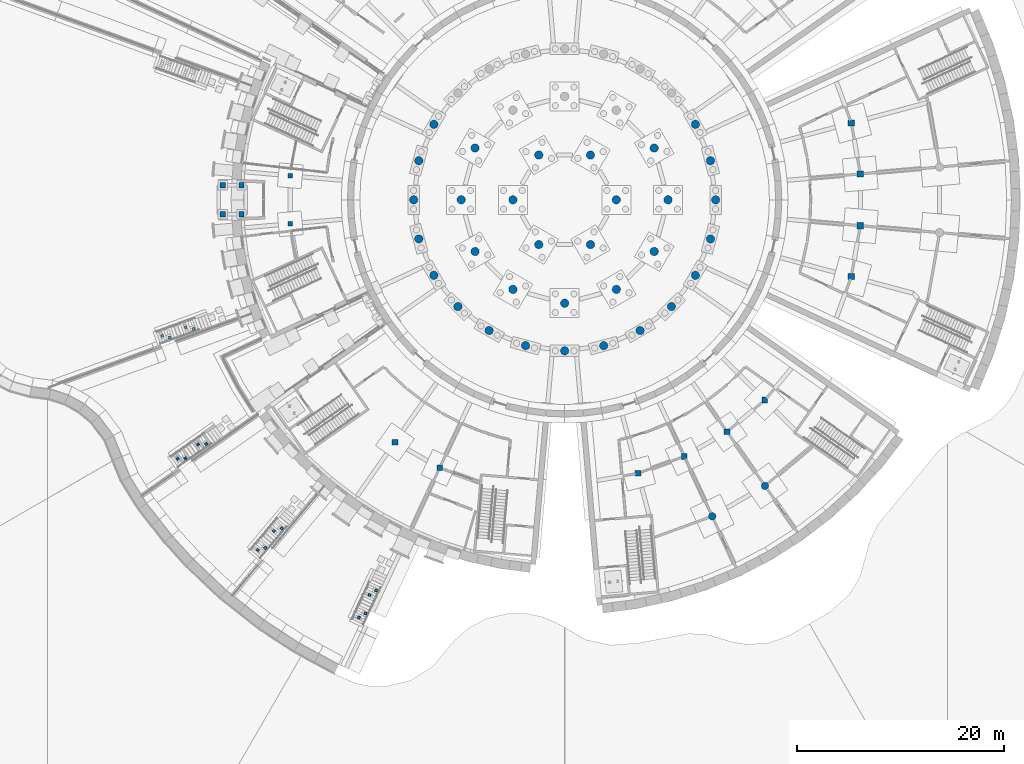
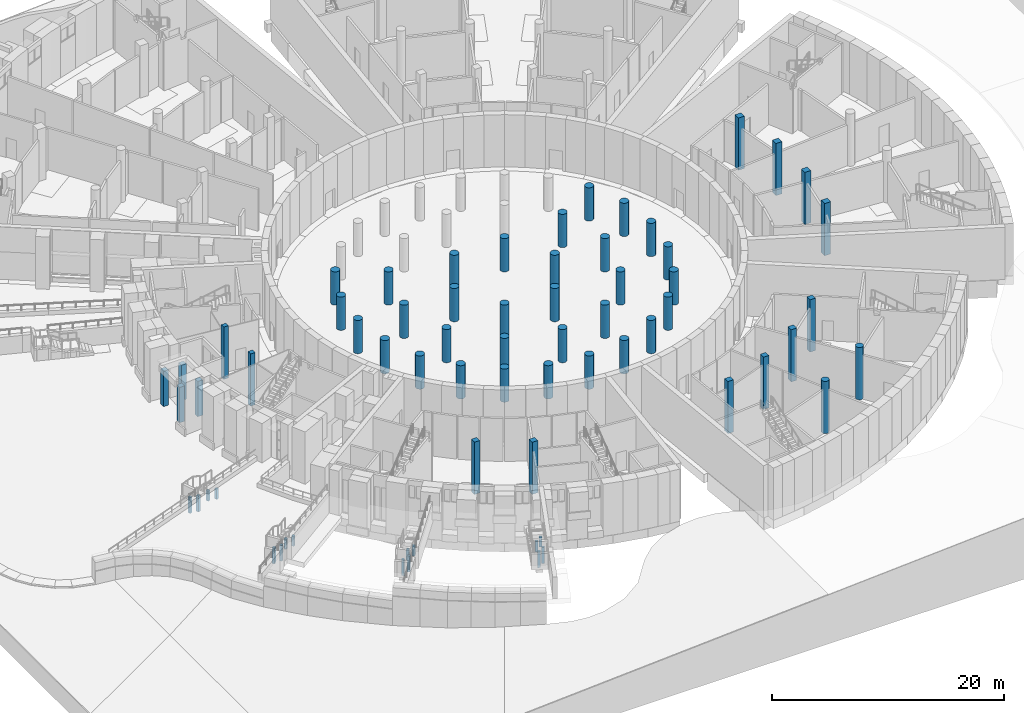
# One storey, part 8 of 65: 66 columns.
"""IFC4 building model written with IfcOpenShell, lengths in metres."""

from ifc_helpers import new_model, si_unit, direction, frame, origin, origin_2d, place, context, subcontext, project, spatial, rectangle, circle, extrude, material, material_profile, profile_set, type_object, element, save


model = new_model("IFC4")

# Units and contexts
model_context = context("Model", 3, precision=1e-05, world=origin(), true_north=direction((0.0, 1.0)))
body_context = subcontext(model_context, "Body", "Model", "MODEL_VIEW")
ifc_project = project(units=[si_unit("LENGTHUNIT", "METRE"), si_unit("AREAUNIT", "SQUARE_METRE"), si_unit("VOLUMEUNIT", "CUBIC_METRE"), si_unit("PLANEANGLEUNIT", "RADIAN"), si_unit("MASSUNIT", "GRAM", prefix="KILO")], contexts=[model_context])

# Site, building, storey
site_placement = place(None, origin())
site = spatial("IfcSite", under=ifc_project, at=site_placement, CompositionType="ELEMENT")
building_placement = place(site_placement, origin())
building = spatial("IfcBuilding", under=site, at=building_placement, Name="Volute Hill Aquarium", CompositionType="ELEMENT")
storey_placement = place(building_placement, frame((0.0, 0.0, -5.5)))
storey = spatial("IfcBuildingStorey", under=building, at=storey_placement, Name="L00", CompositionType="ELEMENT", Elevation=-5.5)

# Columns
ifc_material_1 = material(Name="Concrete C35/45", Category="concrete")
ifc_material_profile_1 = material_profile(ifc_material_1, rectangle(XDim=0.5, YDim=0.5, at=origin_2d()), Name="RC column 500x500")
ifc_profile_set_1 = profile_set([ifc_material_profile_1], Name="Concrete C35/45")
column_type_1 = type_object("IfcColumnType", Name="Canopy column RC 500x500", PredefinedType="COLUMN", material=ifc_profile_set_1)
for number, where, z_axis, x_axis, name in (
    (1, (-31.25, 1.39990234375, 0.0), (0.0, 0.0, 1.0), (1.0, 0.0, 0.0), "cn/S1/L00/c0.0"),
    (2, (-33.050048828125, 1.39990234375, 0.0), (0.0, 0.0, 1.0), (1.0, 0.0, 0.0), "cn/S1/L00/c0.1"),
    (3, (-31.25, -1.39990234375, 0.0), (0.0, 0.0, 1.0), (1.0, 0.0, 0.0), "cn/S1/L00/c1.0"),
    (4, (-33.050048828125, -1.39990234375, 0.0), (0.0, 0.0, 1.0), (1.0, 0.0, 0.0), "cn/S1/L00/c1.1"),
):
    element("IfcColumn", number, at=place(storey_placement, frame(where, z_axis=z_axis, x_axis=x_axis)), inside=storey, type_object=column_type_1, Name=name, PredefinedType="COLUMN", context=body_context, shape_type="SweptSolid", body=[
        extrude(rectangle(XDim=0.5, YDim=0.5, at=origin_2d()), origin(), (0.0, 0.0, 1.0), 3.719970703125),
    ])
ifc_material_2 = material(Name="Concrete C35/45", Category="concrete")
ifc_material_profile_2 = material_profile(ifc_material_2, rectangle(XDim=0.449951171875, YDim=0.449951171875, at=origin_2d()), Name="RC column 450x450")
ifc_profile_set_2 = profile_set([ifc_material_profile_2], Name="Concrete C35/45")
column_type_2 = type_object("IfcColumnType", Name="Column column 450x450 C35/45", PredefinedType="COLUMN", material=ifc_profile_set_2)
for number, where, z_axis, x_axis, name in (
    (5, (-26.523681640625, 2.320556640625, 0.0), (0.0, 0.0, 1.0), (1.0, 0.0, 0.0), "col/S1/L00/1.2"),
    (6, (-26.523681640625, -2.320556640625, 0.0), (0.0, 0.0, 1.0), (1.0, 0.0, 0.0), "col/S1/L00/1.3"),
):
    element("IfcColumn", number, at=place(storey_placement, frame(where, z_axis=z_axis, x_axis=x_axis)), inside=storey, type_object=column_type_2, Name=name, PredefinedType="COLUMN", context=body_context, shape_type="SweptSolid", body=[
        extrude(rectangle(XDim=0.449951171875, YDim=0.449951171875, at=origin_2d()), origin(), (0.0, 0.0, 1.0), 5.5),
    ])
ifc_material_3 = material(Name="Concrete C35/45", Category="concrete")
ifc_material_profile_3 = material_profile(ifc_material_3, rectangle(XDim=0.550048828125, YDim=0.550048828125, at=origin_2d()), Name="RC column 550x550")
ifc_profile_set_3 = profile_set([ifc_material_profile_3], Name="Concrete C35/45")
column_type_3 = type_object("IfcColumnType", Name="Column column 550x550 C35/45", PredefinedType="COLUMN", material=ifc_profile_set_3)
for number, where, z_axis, x_axis, name in (
    (7, (-16.404296875, -23.427734375, 0.0), (0.0, 0.0, 1.0), (1.0, 0.0, 0.0), "col/S2/L00/1.2"),
    (8, (-12.0869140625, -25.92041015625, 0.0), (0.0, 0.0, 1.0), (1.0, 0.0, 0.0), "col/S2/L00/1.3"),
    (9, (7.08740234375, -26.4501953125, 0.0), (0.0, 0.0, 1.0), (1.0, 0.0, 0.0), "col/S3/L00/1.1"),
    (10, (11.57275390625, -24.817626953125, 0.0), (0.0, 0.0, 1.0), (1.0, 0.0, 0.0), "col/S3/L00/1.2"),
    (11, (15.706298828125, -22.43115234375, 0.0), (0.0, 0.0, 1.0), (1.0, 0.0, 0.0), "col/S3/L00/1.3"),
    (12, (19.36279296875, -19.36279296875, 0.0), (0.0, 0.0, 1.0), (1.0, 0.0, 0.0), "col/S3/L00/1.4"),
):
    element("IfcColumn", number, at=place(storey_placement, frame(where, z_axis=z_axis, x_axis=x_axis)), inside=storey, type_object=column_type_3, Name=name, PredefinedType="COLUMN", context=body_context, shape_type="SweptSolid", body=[
        extrude(rectangle(XDim=0.550048828125, YDim=0.550048828125, at=origin_2d()), origin(), (0.0, 0.0, 1.0), 5.5),
    ])
ifc_material_4 = material(Name="Concrete C35/45", Category="concrete")
ifc_material_profile_4 = material_profile(ifc_material_4, rectangle(XDim=0.60009765625, YDim=0.60009765625, at=origin_2d()), Name="RC column 600x600")
ifc_profile_set_4 = profile_set([ifc_material_profile_4], Name="Concrete C35/45")
column_type_4 = type_object("IfcColumnType", Name="Column column 600x600 C35/45", PredefinedType="COLUMN", material=ifc_profile_set_4)
for number, where, z_axis, x_axis, name in (
    (13, (27.72216796875, -7.427978515625, 0.0), (0.0, 0.0, 1.0), (1.0, 0.0, 0.0), "col/S4/L00/1.1"),
    (14, (28.5908203125, -2.50146484375, 0.0), (0.0, 0.0, 1.0), (1.0, 0.0, 0.0), "col/S4/L00/1.2"),
    (15, (28.5908203125, 2.50146484375, 0.0), (0.0, 0.0, 1.0), (1.0, 0.0, 0.0), "col/S4/L00/1.3"),
    (16, (27.72216796875, 7.427978515625, 0.0), (0.0, 0.0, 1.0), (1.0, 0.0, 0.0), "col/S4/L00/1.4"),
):
    element("IfcColumn", number, at=place(storey_placement, frame(where, z_axis=z_axis, x_axis=x_axis)), inside=storey, type_object=column_type_4, Name=name, PredefinedType="COLUMN", context=body_context, shape_type="SweptSolid", body=[
        extrude(rectangle(XDim=0.60009765625, YDim=0.60009765625, at=origin_2d()), origin(), (0.0, 0.0, 1.0), 5.5),
    ])
ifc_material_5 = material(Name="Concrete C35/45", Category="concrete")
ifc_material_profile_5 = material_profile(ifc_material_5, circle(Radius=0.35009765625, at=origin_2d()), Name="RC round column D700")
ifc_profile_set_5 = profile_set([ifc_material_profile_5], Name="Concrete C35/45")
column_type_5 = type_object("IfcColumnType", Name="Column round column D700 C35/45", PredefinedType="COLUMN", material=ifc_profile_set_5)
for number, where, z_axis, x_axis, name in (
    (17, (14.2705078125, -30.60302734375, 0.0), (0.0, 0.0, 1.0), (1.0, 0.0, 0.0), "col/S3/L00/2.2"),
    (18, (19.367919921875, -27.66015625, 0.0), (0.0, 0.0, 1.0), (1.0, 0.0, 0.0), "col/S3/L00/2.3"),
):
    element("IfcColumn", number, at=place(storey_placement, frame(where, z_axis=z_axis, x_axis=x_axis)), inside=storey, type_object=column_type_5, Name=name, PredefinedType="COLUMN", context=body_context, shape_type="SweptSolid", body=[
        extrude(circle(Radius=0.35009765625, at=origin_2d()), origin(), (0.0, 0.0, 1.0), 5.5),
    ])
ifc_material_6 = material(Name="Concrete C30/37", Category="concrete")
ifc_material_profile_6 = material_profile(ifc_material_6, rectangle(XDim=0.25, YDim=0.25, at=origin_2d()), Name="RC pier 250x250")
ifc_profile_set_6 = profile_set([ifc_material_profile_6], Name="Concrete C30/37")
column_type_6 = type_object("IfcColumnType", Name="Stair landing pier RC 250x250 C30/37", PredefinedType="COLUMN", material=ifc_profile_set_6)
for number, where, z_axis, x_axis, name in (
    (19, (-35.877685546875, -12.47314453125, -0.5), (0.0, 0.0, 1.0), (-0.939692620786, -0.342020143326, 0.0), "col/ST200/L00/q0"),
    (20, (-36.648681640625, -12.328125, -0.5), (0.0, 0.0, 1.0), (-0.939692620786, -0.342020143326, 0.0), "col/ST200/L00/q1"),
):
    element("IfcColumn", number, at=place(storey_placement, frame(where, z_axis=z_axis, x_axis=x_axis)), inside=storey, type_object=column_type_6, Name=name, PredefinedType="COLUMN", context=body_context, shape_type="SweptSolid", body=[
        extrude(rectangle(XDim=0.25, YDim=0.25, at=origin_2d()), origin(), (0.0, 0.0, 1.0), 1.06494140625),
    ])
for number, where, z_axis, x_axis, name in (
    (21, (-38.189208984375, -13.314453125, -0.5), (0.0, 0.0, 1.0), (-0.939692620786, -0.342020143326, 0.0), "col/ST200/L00/q2"),
    (22, (-38.90869140625, -13.150634765625, -0.5), (0.0, 0.0, 1.0), (-0.939692620786, -0.342020143326, 0.0), "col/ST200/L00/q3"),
):
    element("IfcColumn", number, at=place(storey_placement, frame(where, z_axis=z_axis, x_axis=x_axis)), inside=storey, type_object=column_type_6, Name=name, PredefinedType="COLUMN", context=body_context, shape_type="SweptSolid", body=[
        extrude(rectangle(XDim=0.25, YDim=0.25, at=origin_2d()), origin(), (0.0, 0.0, 1.0), 1.676025390625),
    ])
for number, where, z_axis, x_axis, name in (
    (23, (-34.66259765625, -23.599609375, 0.875), (0.0, 0.0, 1.0), (-0.819152044289, -0.573576436351, 0.0), "col/ST215/L00/q0"),
    (24, (-35.44482421875, -23.6591796875, 0.875), (0.0, 0.0, 1.0), (-0.819152044289, -0.573576436351, 0.0), "col/ST215/L00/q1"),
):
    element("IfcColumn", number, at=place(storey_placement, frame(where, z_axis=z_axis, x_axis=x_axis)), inside=storey, type_object=column_type_6, Name=name, PredefinedType="COLUMN", context=body_context, shape_type="SweptSolid", body=[
        extrude(rectangle(XDim=0.25, YDim=0.25, at=origin_2d()), origin(), (0.0, 0.0, 1.0), 1.06494140625),
    ])
for number, where, z_axis, x_axis, name in (
    (25, (-36.677490234375, -25.010498046875, 0.875), (0.0, 0.0, 1.0), (-0.819152044289, -0.573576436351, 0.0), "col/ST215/L00/q2"),
    (26, (-37.414794921875, -25.03857421875, 0.875), (0.0, 0.0, 1.0), (-0.819152044289, -0.573576436351, 0.0), "col/ST215/L00/q3"),
):
    element("IfcColumn", number, at=place(storey_placement, frame(where, z_axis=z_axis, x_axis=x_axis)), inside=storey, type_object=column_type_6, Name=name, PredefinedType="COLUMN", context=body_context, shape_type="SweptSolid", body=[
        extrude(rectangle(XDim=0.25, YDim=0.25, at=origin_2d()), origin(), (0.0, 0.0, 1.0), 1.676025390625),
    ])
for number, where, z_axis, x_axis, name in (
    (27, (-27.373291015625, -31.7666015625, 2.25), (0.0, 0.0, 1.0), (-0.642787609687, -0.766044443119, 0.0), "col/ST230/L00/q0"),
    (28, (-28.11376953125, -32.026611328125, 2.25), (0.0, 0.0, 1.0), (-0.642787609687, -0.766044443119, 0.0), "col/ST230/L00/q1"),
):
    element("IfcColumn", number, at=place(storey_placement, frame(where, z_axis=z_axis, x_axis=x_axis)), inside=storey, type_object=column_type_6, Name=name, PredefinedType="COLUMN", context=body_context, shape_type="SweptSolid", body=[
        extrude(rectangle(XDim=0.25, YDim=0.25, at=origin_2d()), origin(), (0.0, 0.0, 1.0), 1.06494140625),
    ])
for number, where, z_axis, x_axis, name in (
    (29, (-28.95458984375, -33.651123046875, 2.25), (0.0, 0.0, 1.0), (-0.642787609687, -0.766044443119, 0.0), "col/ST230/L00/q2"),
    (30, (-29.65966796875, -33.868896484375, 2.25), (0.0, 0.0, 1.0), (-0.642787609687, -0.766044443119, 0.0), "col/ST230/L00/q3"),
):
    element("IfcColumn", number, at=place(storey_placement, frame(where, z_axis=z_axis, x_axis=x_axis)), inside=storey, type_object=column_type_6, Name=name, PredefinedType="COLUMN", context=body_context, shape_type="SweptSolid", body=[
        extrude(rectangle(XDim=0.25, YDim=0.25, at=origin_2d()), origin(), (0.0, 0.0, 1.0), 1.676025390625),
    ])
for number, where, z_axis, x_axis, name in (
    (31, (-18.21875, -37.76904296875, 3.625), (0.0, 0.0, 1.0), (-0.422618261741, -0.906307787037, 0.0), "col/ST245/L00/q0"),
    (32, (-18.86669921875, -38.211669921875, 3.625), (0.0, 0.0, 1.0), (-0.422618261741, -0.906307787037, 0.0), "col/ST245/L00/q1"),
):
    element("IfcColumn", number, at=place(storey_placement, frame(where, z_axis=z_axis, x_axis=x_axis)), inside=storey, type_object=column_type_6, Name=name, PredefinedType="COLUMN", context=body_context, shape_type="SweptSolid", body=[
        extrude(rectangle(XDim=0.25, YDim=0.25, at=origin_2d()), origin(), (0.0, 0.0, 1.0), 1.06494140625),
    ])
for number, where, z_axis, x_axis, name in (
    (33, (-19.258544921875, -39.99853515625, 3.625), (0.0, 0.0, 1.0), (-0.422618261741, -0.906307787037, 0.0), "col/ST245/L00/q2"),
    (34, (-19.883056640625, -40.3916015625, 3.625), (0.0, 0.0, 1.0), (-0.422618261741, -0.906307787037, 0.0), "col/ST245/L00/q3"),
):
    element("IfcColumn", number, at=place(storey_placement, frame(where, z_axis=z_axis, x_axis=x_axis)), inside=storey, type_object=column_type_6, Name=name, PredefinedType="COLUMN", context=body_context, shape_type="SweptSolid", body=[
        extrude(rectangle(XDim=0.25, YDim=0.25, at=origin_2d()), origin(), (0.0, 0.0, 1.0), 1.676025390625),
    ])
ifc_material_7 = material(Name="Concrete C40/50", Category="concrete")
ifc_material_profile_7 = material_profile(ifc_material_7, circle(Radius=0.39990234375, at=origin_2d()), Name="RC round column D800")
ifc_profile_set_7 = profile_set([ifc_material_profile_7], Name="Concrete C40/50")
column_type_7 = type_object("IfcColumnType", Name="Tank support column RC D800", PredefinedType="COLUMN", material=ifc_profile_set_7)
for number, where, z_axis, x_axis, name in (
    (35, (5.0, 0.0, 0.0), (0.0, 0.0, 1.0), (1.0, 0.0, 0.0), "col/TK/L00/1.0"),
    (36, (2.5, 4.330078125, 0.0), (0.0, 0.0, 1.0), (1.0, 0.0, 0.0), "col/TK/L00/1.1"),
    (37, (-2.5, 4.330078125, 0.0), (0.0, 0.0, 1.0), (1.0, 0.0, 0.0), "col/TK/L00/1.2"),
    (38, (-5.0, 0.0, 0.0), (0.0, 0.0, 1.0), (1.0, 0.0, 0.0), "col/TK/L00/1.3"),
    (39, (-2.5, -4.330078125, 0.0), (0.0, 0.0, 1.0), (1.0, 0.0, 0.0), "col/TK/L00/1.4"),
    (40, (2.5, -4.330078125, 0.0), (0.0, 0.0, 1.0), (1.0, 0.0, 0.0), "col/TK/L00/1.5"),
    (41, (10.0, 0.0, 0.0), (0.0, 0.0, 1.0), (1.0, 0.0, 0.0), "col/TK/L00/2.0"),
    (42, (8.660400390625, 5.0, 0.0), (0.0, 0.0, 1.0), (1.0, 0.0, 0.0), "col/TK/L00/2.1"),
    (43, (-8.660400390625, 5.0, 0.0), (0.0, 0.0, 1.0), (1.0, 0.0, 0.0), "col/TK/L00/2.5"),
    (44, (-10.0, 0.0, 0.0), (0.0, 0.0, 1.0), (1.0, 0.0, 0.0), "col/TK/L00/2.6"),
    (45, (-8.660400390625, -5.0, 0.0), (0.0, 0.0, 1.0), (1.0, 0.0, 0.0), "col/TK/L00/2.7"),
    (46, (-5.0, -8.660400390625, 0.0), (0.0, 0.0, 1.0), (1.0, 0.0, 0.0), "col/TK/L00/2.8"),
    (47, (0.0, -10.0, 0.0), (0.0, 0.0, 1.0), (1.0, 0.0, 0.0), "col/TK/L00/2.9"),
    (48, (5.0, -8.660400390625, 0.0), (0.0, 0.0, 1.0), (1.0, 0.0, 0.0), "col/TK/L00/2.10"),
    (49, (8.660400390625, -5.0, 0.0), (0.0, 0.0, 1.0), (1.0, 0.0, 0.0), "col/TK/L00/2.11"),
    (50, (14.60009765625, 0.0, 0.0), (0.0, 0.0, 1.0), (1.0, 0.0, 0.0), "col/TK/L00/3.0"),
    (51, (14.1025390625, 3.77880859375, 0.0), (0.0, 0.0, 1.0), (1.0, 0.0, 0.0), "col/TK/L00/3.1"),
    (52, (12.64404296875, 7.300048828125, 0.0), (0.0, 0.0, 1.0), (1.0, 0.0, 0.0), "col/TK/L00/3.2"),
    (53, (-12.64404296875, 7.300048828125, 0.0), (0.0, 0.0, 1.0), (1.0, 0.0, 0.0), "col/TK/L00/3.10"),
    (54, (-14.1025390625, 3.77880859375, 0.0), (0.0, 0.0, 1.0), (1.0, 0.0, 0.0), "col/TK/L00/3.11"),
    (55, (-14.60009765625, 0.0, 0.0), (0.0, 0.0, 1.0), (1.0, 0.0, 0.0), "col/TK/L00/3.12"),
    (56, (-14.1025390625, -3.77880859375, 0.0), (0.0, 0.0, 1.0), (1.0, 0.0, 0.0), "col/TK/L00/3.13"),
    (57, (-12.64404296875, -7.300048828125, 0.0), (0.0, 0.0, 1.0), (1.0, 0.0, 0.0), "col/TK/L00/3.14"),
    (58, (-10.32373046875, -10.32373046875, 0.0), (0.0, 0.0, 1.0), (1.0, 0.0, 0.0), "col/TK/L00/3.15"),
    (59, (-7.300048828125, -12.64404296875, 0.0), (0.0, 0.0, 1.0), (1.0, 0.0, 0.0), "col/TK/L00/3.16"),
    (60, (-3.77880859375, -14.1025390625, 0.0), (0.0, 0.0, 1.0), (1.0, 0.0, 0.0), "col/TK/L00/3.17"),
    (61, (0.0, -14.60009765625, 0.0), (0.0, 0.0, 1.0), (1.0, 0.0, 0.0), "col/TK/L00/3.18"),
    (62, (3.77880859375, -14.1025390625, 0.0), (0.0, 0.0, 1.0), (1.0, 0.0, 0.0), "col/TK/L00/3.19"),
    (63, (7.300048828125, -12.64404296875, 0.0), (0.0, 0.0, 1.0), (1.0, 0.0, 0.0), "col/TK/L00/3.20"),
    (64, (10.32373046875, -10.32373046875, 0.0), (0.0, 0.0, 1.0), (1.0, 0.0, 0.0), "col/TK/L00/3.21"),
    (65, (12.64404296875, -7.300048828125, 0.0), (0.0, 0.0, 1.0), (1.0, 0.0, 0.0), "col/TK/L00/3.22"),
    (66, (14.1025390625, -3.77880859375, 0.0), (0.0, 0.0, 1.0), (1.0, 0.0, 0.0), "col/TK/L00/3.23"),
):
    element("IfcColumn", number, at=place(storey_placement, frame(where, z_axis=z_axis, x_axis=x_axis)), inside=storey, type_object=column_type_7, Name=name, PredefinedType="COLUMN", context=body_context, shape_type="SweptSolid", body=[
        extrude(circle(Radius=0.39990234375, at=origin_2d()), origin(), (0.0, 0.0, 1.0), 3.5),
    ])

save(model, "model.ifc")
